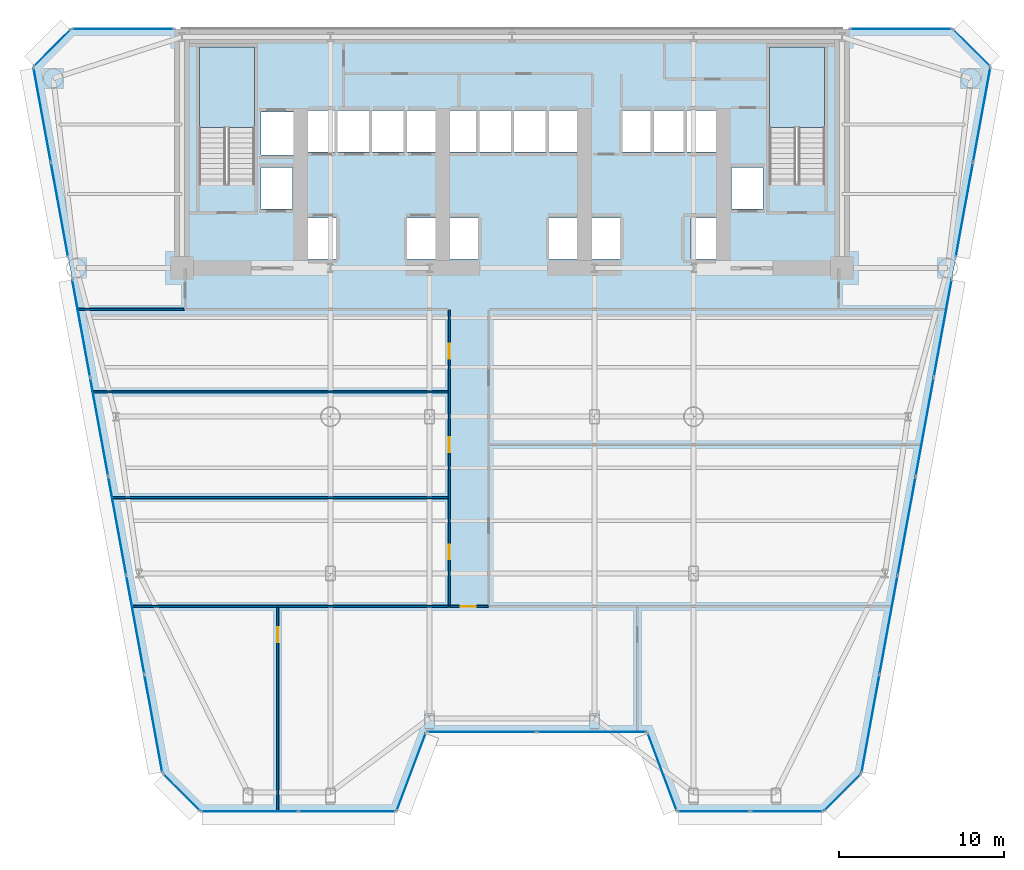
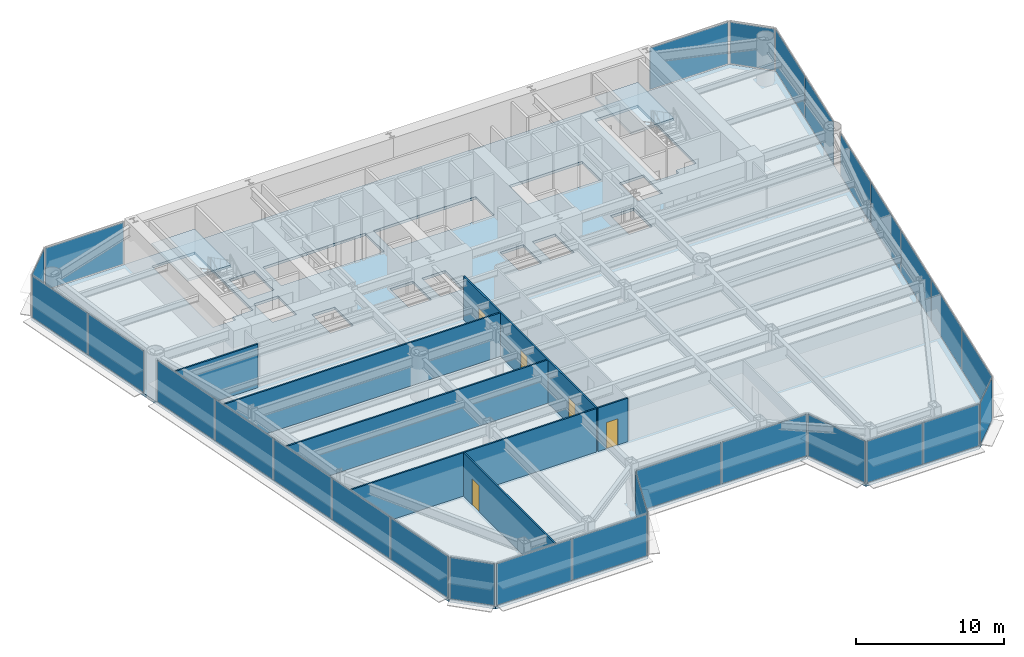
# One storey, part 7 of 14: 28 plates, 7 walls, 5 doors, 3 slabs, 5 openings, 17 elements without a shape of their own.
"""IFC4 building model written with IfcOpenShell, lengths in metres."""

from ifc_helpers import new_model, si_unit, direction, frame, frame_2d, origin, origin_2d, place, context, subcontext, project, spatial, polyline, rectangle, outline, extrude, source, transform, mapped, material, layer, layer_set, type_object, element, fill, aggregate, save


model = new_model("IFC4")

# Units and contexts
model_context = context("Model", 3, precision=1e-05, world=origin(), true_north=direction((0.0, 1.0)))
body_context = subcontext(model_context, "Body", "Model", "MODEL_VIEW")
ifc_project = project(units=[si_unit("LENGTHUNIT", "METRE"), si_unit("AREAUNIT", "SQUARE_METRE"), si_unit("VOLUMEUNIT", "CUBIC_METRE"), si_unit("PLANEANGLEUNIT", "RADIAN"), si_unit("MASSUNIT", "GRAM", prefix="KILO")], contexts=[model_context])

# Site, building, storey
site_placement = place(None, origin())
site = spatial("IfcSite", under=ifc_project, at=site_placement, CompositionType="ELEMENT")
building_placement = place(site_placement, origin())
building = spatial("IfcBuilding", under=site, at=building_placement, Name="Vaeldorn Concourse Tower", CompositionType="ELEMENT")
storey_placement = place(building_placement, frame((0.0, 0.0, 75.800048828125)))
storey = spatial("IfcBuildingStorey", under=building, at=storey_placement, Name="L19", CompositionType="ELEMENT", Elevation=75.800048828125)

# Stair, slab
ifc_material_1 = material(Name="Precast concrete C40/50", Category="concrete")
stair_type = type_object("IfcStairType", Name="STR-DOG-24x158", PredefinedType="HALF_TURN_STAIR", material=ifc_material_1)
stair_1_placement = place(storey_placement, origin())
stair_1 = element("IfcStair", 1, at=stair_1_placement, inside=storey, type_object=stair_type, Name="L19 West Core Exit Stair ST-1", PredefinedType="HALF_TURN_STAIR")
ifc_material_2 = material(Name="Concrete C40/50", Category="concrete")
ifc_layer_1 = layer(ifc_material_2, 0.199951171875)
ifc_layer_set_1 = layer_set([ifc_layer_1], Name="Concrete C40/50")
slab_type_1 = type_object("IfcSlabType", Name="SL-STAIR-LANDING", PredefinedType="LANDING", material=ifc_layer_set_1)
slab_1_placement = place(storey_placement, frame((0.0, 0.0, 1.699951171875)))
slab_1 = element("IfcSlab", 2, at=slab_1_placement, type_object=slab_type_1, Name="ST-1 landing 1", PredefinedType="LANDING", context=body_context, shape_type="SweptSolid", body=[
    extrude(outline(polyline([(18.39990234375, 45.010009765625), (18.39990234375, 49.89990234375), (15.050048828125, 49.89990234375), (15.050048828125, 45.010009765625), (18.39990234375, 45.010009765625)])), origin(), (0.0, 0.0, 1.0), 0.199951171875),
])
aggregate(stair_1, [slab_1])

stair_2_placement = place(storey_placement, origin())
stair_2 = element("IfcStair", 3, at=stair_2_placement, inside=storey, type_object=stair_type, Name="L19 East Core Exit Stair ST-2", PredefinedType="HALF_TURN_STAIR")
slab_2_placement = place(storey_placement, frame((0.0, 0.0, 1.699951171875)))
slab_2 = element("IfcSlab", 4, at=slab_2_placement, type_object=slab_type_1, Name="ST-2 landing 1", PredefinedType="LANDING", context=body_context, shape_type="SweptSolid", body=[
    extrude(outline(polyline([(52.949951171875, 45.010009765625), (52.949951171875, 49.89990234375), (49.60009765625, 49.89990234375), (49.60009765625, 45.010009765625), (52.949951171875, 45.010009765625)])), origin(), (0.0, 0.0, 1.0), 0.199951171875),
])
aggregate(stair_2, [slab_2])

# Slab
ifc_layer_2 = layer(ifc_material_2, 0.219970703125)
ifc_layer_set_2 = layer_set([ifc_layer_2], Name="Concrete C40/50")
slab_type_2 = type_object("IfcSlabType", Name="SL-TYP-220", PredefinedType="FLOOR", material=ifc_layer_set_2)
slab_3_placement = place(storey_placement, frame((0.0, 0.0, -0.219970703125)))
element("IfcSlab", 5, at=slab_3_placement, inside=storey, type_object=slab_type_2, Name="Structural Floor Slab L19", PredefinedType="FLOOR", context=body_context, shape_type="SweptSolid", body=[
    extrude(outline(polyline([(15.123291015625, 3.586181640625), (27.0, 3.586181640625), (28.800048828125, 8.385986328125), (42.199951171875, 8.385986328125), (44.0, 3.586181640625), (52.876708984375, 3.586181640625), (55.1767578125, 5.885986328125), (63.0, 48.699951171875), (60.699951171875, 51.0), (7.300048828125, 51.0), (5.0, 48.699951171875), (12.8232421875, 5.885986328125), (15.123291015625, 3.586181640625)]), holes=[polyline([(18.39990234375, 42.0), (18.39990234375, 49.89990234375), (15.050048828125, 49.89990234375), (15.050048828125, 41.60009765625), (16.800048828125, 41.60009765625), (16.800048828125, 42.0), (18.39990234375, 42.0)]), polyline([(52.949951171875, 42.0), (52.949951171875, 49.89990234375), (49.60009765625, 49.89990234375), (49.60009765625, 41.60009765625), (51.35009765625, 41.60009765625), (51.35009765625, 42.0), (52.949951171875, 42.0)]), polyline([(21.550048828125, 37.050048828125), (23.35009765625, 37.050048828125), (23.35009765625, 39.550048828125), (21.550048828125, 39.550048828125), (21.550048828125, 37.050048828125)]), polyline([(27.64990234375, 37.050048828125), (29.449951171875, 37.050048828125), (29.449951171875, 39.550048828125), (27.64990234375, 39.550048828125), (27.64990234375, 37.050048828125)]), polyline([(21.5, 43.550048828125), (29.5, 43.550048828125), (29.5, 46.050048828125), (21.5, 46.050048828125), (21.5, 43.550048828125)]), polyline([(30.14990234375, 37.050048828125), (31.949951171875, 37.050048828125), (31.949951171875, 39.550048828125), (30.14990234375, 39.550048828125), (30.14990234375, 37.050048828125)]), polyline([(36.25, 37.050048828125), (38.050048828125, 37.050048828125), (38.050048828125, 39.550048828125), (36.25, 39.550048828125), (36.25, 37.050048828125)]), polyline([(30.10009765625, 43.550048828125), (38.10009765625, 43.550048828125), (38.10009765625, 46.050048828125), (30.10009765625, 46.050048828125), (30.10009765625, 43.550048828125)]), polyline([(38.75, 37.050048828125), (40.550048828125, 37.050048828125), (40.550048828125, 39.550048828125), (38.75, 39.550048828125), (38.75, 37.050048828125)]), polyline([(44.85009765625, 37.050048828125), (46.64990234375, 37.050048828125), (46.64990234375, 39.550048828125), (44.85009765625, 39.550048828125), (44.85009765625, 37.050048828125)]), polyline([(40.699951171875, 43.550048828125), (46.39990234375, 43.550048828125), (46.39990234375, 46.050048828125), (40.699951171875, 46.050048828125), (40.699951171875, 43.550048828125)]), polyline([(18.800048828125, 43.35009765625), (20.800048828125, 43.35009765625), (20.800048828125, 45.949951171875), (18.800048828125, 45.949951171875), (18.800048828125, 43.35009765625)]), polyline([(18.800048828125, 40.10009765625), (20.699951171875, 40.10009765625), (20.699951171875, 42.60009765625), (18.800048828125, 42.60009765625), (18.800048828125, 40.10009765625)]), polyline([(47.300048828125, 40.10009765625), (49.199951171875, 40.10009765625), (49.199951171875, 42.60009765625), (47.300048828125, 42.60009765625), (47.300048828125, 40.10009765625)])]), origin(), (0.0, 0.0, 1.0), 0.219970703125),
])

# Curtain wall, plate
ifc_material_3 = material(Name="Anodised Bronze Aluminium", Category="aluminium")
ifc_layer_3 = layer(ifc_material_3, 0.219970703125)
ifc_layer_set_3 = layer_set([ifc_layer_3], Name="Anodised Bronze Aluminium")
curtain_wall_type = type_object("IfcCurtainWallType", Name="CW-SYS-01", PredefinedType="NOTDEFINED", material=ifc_layer_set_3)
curtain_wall_1_placement = place(storey_placement, origin())
curtain_wall_1 = element("IfcCurtainWall", 6, at=curtain_wall_1_placement, inside=storey, type_object=curtain_wall_type, Name="Unitised Curtain Wall CW-L19-E02-1", PredefinedType="NOTDEFINED")
ifc_material_4 = material(Name="Bronze Tinted Low-E Insulated Glass", Category="glass")
ifc_layer_4 = layer(ifc_material_4, 0.031982421875)
ifc_layer_set_4 = layer_set([ifc_layer_4], Name="Bronze Tinted Low-E Insulated Glass")
plate_type = type_object("IfcPlateType", Name="CWP-VISION-32", PredefinedType="CURTAIN_PANEL", material=ifc_layer_set_4)
shared_shape_1 = source(origin(), body_context, "Body", "SweptSolid", [
    extrude(rectangle(XDim=4.976318359375, YDim=0.031982421875, at=origin_2d()), origin(), (0.0, 0.0, 1.0), 3.429931640625),
])
plate_1_placement = place(storey_placement, frame((27.89990234375, 5.986083984375, 0.0751953125), z_axis=(0.0, 0.0, 1.0), x_axis=(0.351123441595, 0.936329177566, 0.0)))
plate_1 = element("IfcPlate", 7, at=plate_1_placement, type_object=plate_type, Name="CW-01 panel 1.1", PredefinedType="CURTAIN_PANEL", context=body_context, shape_type="MappedRepresentation", body=[
    mapped(shared_shape_1, transform((0.0, 0.0, 0.0), scale=1.0)),
])
aggregate(curtain_wall_1, [plate_1])

curtain_wall_2_placement = place(storey_placement, origin())
curtain_wall_2 = element("IfcCurtainWall", 8, at=curtain_wall_2_placement, inside=storey, type_object=curtain_wall_type, Name="Unitised Curtain Wall CW-L19-E04-1", PredefinedType="NOTDEFINED")
plate_2_placement = place(storey_placement, frame((43.10009765625, 5.986083984375, 0.0751953125), z_axis=(0.0, 0.0, 1.0), x_axis=(0.351123441595, -0.936329177566, 0.0)))
plate_2 = element("IfcPlate", 9, at=plate_2_placement, type_object=plate_type, Name="CW-01 panel 1.1", PredefinedType="CURTAIN_PANEL", context=body_context, shape_type="MappedRepresentation", body=[
    mapped(shared_shape_1, transform((0.0, 0.0, 0.0), scale=1.0)),
])
aggregate(curtain_wall_2, [plate_2])

# Curtain wall, plates
curtain_wall_3_placement = place(storey_placement, origin())
curtain_wall_3 = element("IfcCurtainWall", 10, at=curtain_wall_3_placement, inside=storey, type_object=curtain_wall_type, Name="Unitised Curtain Wall CW-L19-E03-1", PredefinedType="NOTDEFINED")
shared_shape_2 = source(origin(), body_context, "Body", "SweptSolid", [
    extrude(rectangle(XDim=6.58740234375, YDim=0.031982421875, at=origin_2d()), origin(), (0.0, 0.0, 1.0), 3.429931640625),
])
plate_3_placement = place(storey_placement, frame((32.168701171875, 8.385986328125, 0.0751953125), z_axis=(0.0, 0.0, 1.0), x_axis=(1.0, 0.0, 0.0)))
plate_3 = element("IfcPlate", 11, at=plate_3_placement, type_object=plate_type, Name="CW-01 panel 1.1", PredefinedType="CURTAIN_PANEL", context=body_context, shape_type="MappedRepresentation", body=[
    mapped(shared_shape_2, transform((0.0, 0.0, 0.0), scale=1.0)),
])
plate_4_placement = place(storey_placement, frame((38.831298828125, 8.385986328125, 0.0751953125), z_axis=(0.0, 0.0, 1.0), x_axis=(1.0, 0.0, 0.0)))
plate_4 = element("IfcPlate", 12, at=plate_4_placement, type_object=plate_type, Name="CW-01 panel 2.1", PredefinedType="CURTAIN_PANEL", context=body_context, shape_type="MappedRepresentation", body=[
    mapped(shared_shape_2, transform((0.0, 0.0, 0.0), scale=1.0)),
])
aggregate(curtain_wall_3, [plate_3, plate_4])

# Curtain wall, plate
curtain_wall_4_placement = place(storey_placement, origin())
curtain_wall_4 = element("IfcCurtainWall", 13, at=curtain_wall_4_placement, inside=storey, type_object=curtain_wall_type, Name="Unitised Curtain Wall CW-L19-E06-1", PredefinedType="NOTDEFINED")
shared_shape_3 = source(origin(), body_context, "Body", "SweptSolid", [
    extrude(rectangle(XDim=3.102783203125, YDim=0.031982421875, at=origin_2d()), origin(), (0.0, 0.0, 1.0), 3.429931640625),
])
plate_5_placement = place(storey_placement, frame((54.026611328125, 4.736083984375, 0.0751953125), z_axis=(0.0, 0.0, 1.0), x_axis=(0.707106781187, 0.707106781187, 0.0)))
plate_5 = element("IfcPlate", 14, at=plate_5_placement, type_object=plate_type, Name="CW-01 panel 1.1", PredefinedType="CURTAIN_PANEL", context=body_context, shape_type="MappedRepresentation", body=[
    mapped(shared_shape_3, transform((0.0, 0.0, 0.0), scale=1.0)),
])
aggregate(curtain_wall_4, [plate_5])

curtain_wall_5_placement = place(storey_placement, origin())
curtain_wall_5 = element("IfcCurtainWall", 15, at=curtain_wall_5_placement, inside=storey, type_object=curtain_wall_type, Name="Unitised Curtain Wall CW-L19-E08-1", PredefinedType="NOTDEFINED")
plate_6_placement = place(storey_placement, frame((61.85009765625, 49.85009765625, 0.0751953125), z_axis=(0.0, 0.0, 1.0), x_axis=(-0.707106781187, 0.707106781187, 0.0)))
plate_6 = element("IfcPlate", 16, at=plate_6_placement, type_object=plate_type, Name="CW-01 panel 1.1", PredefinedType="CURTAIN_PANEL", context=body_context, shape_type="MappedRepresentation", body=[
    mapped(shared_shape_3, transform((0.0, 0.0, 0.0), scale=1.0)),
])
aggregate(curtain_wall_5, [plate_6])

curtain_wall_6_placement = place(storey_placement, origin())
curtain_wall_6 = element("IfcCurtainWall", 17, at=curtain_wall_6_placement, inside=storey, type_object=curtain_wall_type, Name="Unitised Curtain Wall CW-L19-E10-1", PredefinedType="NOTDEFINED")
plate_7_placement = place(storey_placement, frame((6.14990234375, 49.85009765625, 0.0751953125), z_axis=(0.0, 0.0, 1.0), x_axis=(-0.707106781187, -0.707106781187, 0.0)))
plate_7 = element("IfcPlate", 18, at=plate_7_placement, type_object=plate_type, Name="CW-01 panel 1.1", PredefinedType="CURTAIN_PANEL", context=body_context, shape_type="MappedRepresentation", body=[
    mapped(shared_shape_3, transform((0.0, 0.0, 0.0), scale=1.0)),
])
aggregate(curtain_wall_6, [plate_7])

curtain_wall_7_placement = place(storey_placement, origin())
curtain_wall_7 = element("IfcCurtainWall", 19, at=curtain_wall_7_placement, inside=storey, type_object=curtain_wall_type, Name="Unitised Curtain Wall CW-L19-E12-1", PredefinedType="NOTDEFINED")
plate_8_placement = place(storey_placement, frame((13.973388671875, 4.736083984375, 0.0751953125), z_axis=(0.0, 0.0, 1.0), x_axis=(0.707106781187, -0.707106781187, 0.0)))
plate_8 = element("IfcPlate", 20, at=plate_8_placement, type_object=plate_type, Name="CW-01 panel 1.1", PredefinedType="CURTAIN_PANEL", context=body_context, shape_type="MappedRepresentation", body=[
    mapped(shared_shape_3, transform((0.0, 0.0, 0.0), scale=1.0)),
])
aggregate(curtain_wall_7, [plate_8])

curtain_wall_8_placement = place(storey_placement, origin())
curtain_wall_8 = element("IfcCurtainWall", 21, at=curtain_wall_8_placement, inside=storey, type_object=curtain_wall_type, Name="Unitised Curtain Wall CW-L19-E09-1", PredefinedType="NOTDEFINED")
shared_shape_4 = source(origin(), body_context, "Body", "SweptSolid", [
    extrude(rectangle(XDim=6.10498046875, YDim=0.031982421875, at=origin_2d()), origin(), (0.0, 0.0, 1.0), 3.429931640625),
])
plate_9_placement = place(storey_placement, frame((57.572509765625, 51.0, 0.0751953125), z_axis=(0.0, 0.0, 1.0), x_axis=(-1.0, 0.0, 0.0)))
plate_9 = element("IfcPlate", 22, at=plate_9_placement, type_object=plate_type, Name="CW-01 panel 1.1", PredefinedType="CURTAIN_PANEL", context=body_context, shape_type="MappedRepresentation", body=[
    mapped(shared_shape_4, transform((0.0, 0.0, 0.0), scale=1.0)),
])
aggregate(curtain_wall_8, [plate_9])

curtain_wall_9_placement = place(storey_placement, origin())
curtain_wall_9 = element("IfcCurtainWall", 23, at=curtain_wall_9_placement, inside=storey, type_object=curtain_wall_type, Name="Unitised Curtain Wall CW-L19-E09-2", PredefinedType="NOTDEFINED")
plate_10_placement = place(storey_placement, frame((10.427490234375, 51.0, 0.0751953125), z_axis=(0.0, 0.0, 1.0), x_axis=(-1.0, 0.0, 0.0)))
plate_10 = element("IfcPlate", 24, at=plate_10_placement, type_object=plate_type, Name="CW-01 panel 1.1", PredefinedType="CURTAIN_PANEL", context=body_context, shape_type="MappedRepresentation", body=[
    mapped(shared_shape_4, transform((0.0, 0.0, 0.0), scale=1.0)),
])
aggregate(curtain_wall_9, [plate_10])

# Curtain wall, plates
curtain_wall_10_placement = place(storey_placement, origin())
curtain_wall_10 = element("IfcCurtainWall", 25, at=curtain_wall_10_placement, inside=storey, type_object=curtain_wall_type, Name="Unitised Curtain Wall CW-L19-E01-1", PredefinedType="NOTDEFINED")
shared_shape_5 = source(origin(), body_context, "Body", "SweptSolid", [
    extrude(rectangle(XDim=5.825927734375, YDim=0.031982421875, at=origin_2d()), origin(), (0.0, 0.0, 1.0), 3.429931640625),
])
plate_11_placement = place(storey_placement, frame((18.111328125, 3.586181640625, 0.0751953125), z_axis=(0.0, 0.0, 1.0), x_axis=(1.0, 0.0, 0.0)))
plate_11 = element("IfcPlate", 26, at=plate_11_placement, type_object=plate_type, Name="CW-01 panel 1.1", PredefinedType="CURTAIN_PANEL", context=body_context, shape_type="MappedRepresentation", body=[
    mapped(shared_shape_5, transform((0.0, 0.0, 0.0), scale=1.0)),
])
plate_12_placement = place(storey_placement, frame((24.011962890625, 3.586181640625, 0.0751953125), z_axis=(0.0, 0.0, 1.0), x_axis=(1.0, 0.0, 0.0)))
plate_12 = element("IfcPlate", 27, at=plate_12_placement, type_object=plate_type, Name="CW-01 panel 2.1", PredefinedType="CURTAIN_PANEL", context=body_context, shape_type="MappedRepresentation", body=[
    mapped(shared_shape_5, transform((0.0, 0.0, 0.0), scale=1.0)),
])
aggregate(curtain_wall_10, [plate_11, plate_12])

curtain_wall_11_placement = place(storey_placement, origin())
curtain_wall_11 = element("IfcCurtainWall", 28, at=curtain_wall_11_placement, inside=storey, type_object=curtain_wall_type, Name="Unitised Curtain Wall CW-L19-E05-1", PredefinedType="NOTDEFINED")
shared_shape_6 = source(origin(), body_context, "Body", "SweptSolid", [
    extrude(rectangle(XDim=4.325927734375, YDim=0.031982421875, at=origin_2d()), origin(), (0.0, 0.0, 1.0), 3.429931640625),
])
plate_13_placement = place(storey_placement, frame((46.238037109375, 3.586181640625, 0.0751953125), z_axis=(0.0, 0.0, 1.0), x_axis=(1.0, 0.0, 0.0)))
plate_13 = element("IfcPlate", 29, at=plate_13_placement, type_object=plate_type, Name="CW-01 panel 1.1", PredefinedType="CURTAIN_PANEL", context=body_context, shape_type="MappedRepresentation", body=[
    mapped(shared_shape_6, transform((0.0, 0.0, 0.0), scale=1.0)),
])
plate_14_placement = place(storey_placement, frame((50.638671875, 3.586181640625, 0.0751953125), z_axis=(0.0, 0.0, 1.0), x_axis=(1.0, 0.0, 0.0)))
plate_14 = element("IfcPlate", 30, at=plate_14_placement, type_object=plate_type, Name="CW-01 panel 2.1", PredefinedType="CURTAIN_PANEL", context=body_context, shape_type="MappedRepresentation", body=[
    mapped(shared_shape_6, transform((0.0, 0.0, 0.0), scale=1.0)),
])
aggregate(curtain_wall_11, [plate_13, plate_14])

curtain_wall_12_placement = place(storey_placement, origin())
curtain_wall_12 = element("IfcCurtainWall", 31, at=curtain_wall_12_placement, inside=storey, type_object=curtain_wall_type, Name="Unitised Curtain Wall CW-L19-E07-1", PredefinedType="NOTDEFINED")
shared_shape_7 = source(origin(), body_context, "Body", "SweptSolid", [
    extrude(rectangle(XDim=5.985595703125, YDim=0.031982421875, at=origin_2d()), origin(), (0.0, 0.0, 1.0), 3.429931640625),
])
plate_15_placement = place(storey_placement, frame((55.728271484375, 8.904052734375, 0.0751953125), z_axis=(0.0, 0.0, 1.0), x_axis=(0.179751197201, 0.983712105804, 0.0)))
plate_15 = element("IfcPlate", 32, at=plate_15_placement, type_object=plate_type, Name="CW-01 panel 1.1", PredefinedType="CURTAIN_PANEL", context=body_context, shape_type="MappedRepresentation", body=[
    mapped(shared_shape_7, transform((0.0, 0.0, 0.0), scale=1.0)),
])
plate_16_placement = place(storey_placement, frame((60.10595703125, 32.862548828125, 0.0751953125), z_axis=(0.0, 0.0, 1.0), x_axis=(0.179751197201, 0.983712105804, 0.0)))
plate_16 = element("IfcPlate", 33, at=plate_16_placement, type_object=plate_type, Name="CW-01 panel 5.1", PredefinedType="CURTAIN_PANEL", context=body_context, shape_type="MappedRepresentation", body=[
    mapped(shared_shape_7, transform((0.0, 0.0, 0.0), scale=1.0)),
])

curtain_wall_13_placement = place(storey_placement, origin())
curtain_wall_13 = element("IfcCurtainWall", 34, at=curtain_wall_13_placement, inside=storey, type_object=curtain_wall_type, Name="Unitised Curtain Wall CW-L19-E11-2", PredefinedType="NOTDEFINED")
plate_17_placement = place(storey_placement, frame((7.89404296875, 32.862548828125, 0.0751953125), z_axis=(0.0, 0.0, 1.0), x_axis=(0.179751197201, -0.983712105804, 0.0)))
plate_17 = element("IfcPlate", 35, at=plate_17_placement, type_object=plate_type, Name="CW-01 panel 1.1", PredefinedType="CURTAIN_PANEL", context=body_context, shape_type="MappedRepresentation", body=[
    mapped(shared_shape_7, transform((0.0, 0.0, 0.0), scale=1.0)),
])
plate_18_placement = place(storey_placement, frame((12.271728515625, 8.904052734375, 0.0751953125), z_axis=(0.0, 0.0, 1.0), x_axis=(0.179751197201, -0.983712105804, 0.0)))
plate_18 = element("IfcPlate", 36, at=plate_18_placement, type_object=plate_type, Name="CW-01 panel 5.1", PredefinedType="CURTAIN_PANEL", context=body_context, shape_type="MappedRepresentation", body=[
    mapped(shared_shape_7, transform((0.0, 0.0, 0.0), scale=1.0)),
])

# Plate
shared_shape_8 = source(origin(), body_context, "Body", "SweptSolid", [
    extrude(rectangle(XDim=6.023193359375, YDim=0.031982421875, at=origin_2d()), origin(), (0.0, 0.0, 1.0), 3.429931640625),
])
plate_19_placement = place(storey_placement, frame((56.821044921875, 14.884521484375, 0.0751953125), z_axis=(0.0, 0.0, 1.0), x_axis=(0.179751197201, 0.983712105804, 0.0)))
plate_19 = element("IfcPlate", 37, at=plate_19_placement, type_object=plate_type, Name="CW-01 panel 2.1", PredefinedType="CURTAIN_PANEL", context=body_context, shape_type="MappedRepresentation", body=[
    mapped(shared_shape_8, transform((0.0, 0.0, 0.0), scale=1.0)),
])

plate_20_placement = place(storey_placement, frame((57.9169921875, 20.88330078125, 0.0751953125), z_axis=(0.0, 0.0, 1.0), x_axis=(0.179751197201, 0.983712105804, 0.0)))
plate_20 = element("IfcPlate", 38, at=plate_20_placement, type_object=plate_type, Name="CW-01 panel 3.1", PredefinedType="CURTAIN_PANEL", context=body_context, shape_type="MappedRepresentation", body=[
    mapped(shared_shape_8, transform((0.0, 0.0, 0.0), scale=1.0)),
])

plate_21_placement = place(storey_placement, frame((59.01318359375, 26.882080078125, 0.0751953125), z_axis=(0.0, 0.0, 1.0), x_axis=(0.179751197201, 0.983712105804, 0.0)))
plate_21 = element("IfcPlate", 39, at=plate_21_placement, type_object=plate_type, Name="CW-01 panel 4.1", PredefinedType="CURTAIN_PANEL", context=body_context, shape_type="MappedRepresentation", body=[
    mapped(shared_shape_8, transform((0.0, 0.0, 0.0), scale=1.0)),
])

aggregate(curtain_wall_12, [plate_15, plate_19, plate_20, plate_21, plate_16])

plate_22_placement = place(storey_placement, frame((8.98681640625, 26.882080078125, 0.0751953125), z_axis=(0.0, 0.0, 1.0), x_axis=(0.179751197201, -0.983712105804, 0.0)))
plate_22 = element("IfcPlate", 40, at=plate_22_placement, type_object=plate_type, Name="CW-01 panel 2.1", PredefinedType="CURTAIN_PANEL", context=body_context, shape_type="MappedRepresentation", body=[
    mapped(shared_shape_8, transform((0.0, 0.0, 0.0), scale=1.0)),
])

plate_23_placement = place(storey_placement, frame((10.0830078125, 20.88330078125, 0.0751953125), z_axis=(0.0, 0.0, 1.0), x_axis=(0.179751197201, -0.983712105804, 0.0)))
plate_23 = element("IfcPlate", 41, at=plate_23_placement, type_object=plate_type, Name="CW-01 panel 3.1", PredefinedType="CURTAIN_PANEL", context=body_context, shape_type="MappedRepresentation", body=[
    mapped(shared_shape_8, transform((0.0, 0.0, 0.0), scale=1.0)),
])

plate_24_placement = place(storey_placement, frame((11.178955078125, 14.884521484375, 0.0751953125), z_axis=(0.0, 0.0, 1.0), x_axis=(0.179751197201, -0.983712105804, 0.0)))
plate_24 = element("IfcPlate", 42, at=plate_24_placement, type_object=plate_type, Name="CW-01 panel 4.1", PredefinedType="CURTAIN_PANEL", context=body_context, shape_type="MappedRepresentation", body=[
    mapped(shared_shape_8, transform((0.0, 0.0, 0.0), scale=1.0)),
])

aggregate(curtain_wall_13, [plate_17, plate_22, plate_23, plate_24, plate_18])

# Curtain wall, plates
curtain_wall_14_placement = place(storey_placement, origin())
curtain_wall_14 = element("IfcCurtainWall", 43, at=curtain_wall_14_placement, inside=storey, type_object=curtain_wall_type, Name="Unitised Curtain Wall CW-L19-E07-2", PredefinedType="NOTDEFINED")
shared_shape_9 = source(origin(), body_context, "Body", "SweptSolid", [
    extrude(rectangle(XDim=5.773681640625, YDim=0.031982421875, at=origin_2d()), origin(), (0.0, 0.0, 1.0), 3.429931640625),
])
plate_25_placement = place(storey_placement, frame((61.416259765625, 40.032958984375, 0.0751953125), z_axis=(0.0, 0.0, 1.0), x_axis=(0.179753240108, 0.983711732506, 0.0)))
plate_25 = element("IfcPlate", 44, at=plate_25_placement, type_object=plate_type, Name="CW-01 panel 1.1", PredefinedType="CURTAIN_PANEL", context=body_context, shape_type="MappedRepresentation", body=[
    mapped(shared_shape_9, transform((0.0, 0.0, 0.0), scale=1.0)),
])
plate_26_placement = place(storey_placement, frame((62.467529296875, 45.786376953125, 0.0751953125), z_axis=(0.0, 0.0, 1.0), x_axis=(0.179753240108, 0.983711732506, 0.0)))
plate_26 = element("IfcPlate", 45, at=plate_26_placement, type_object=plate_type, Name="CW-01 panel 2.1", PredefinedType="CURTAIN_PANEL", context=body_context, shape_type="MappedRepresentation", body=[
    mapped(shared_shape_9, transform((0.0, 0.0, 0.0), scale=1.0)),
])
aggregate(curtain_wall_14, [plate_25, plate_26])

curtain_wall_15_placement = place(storey_placement, origin())
curtain_wall_15 = element("IfcCurtainWall", 46, at=curtain_wall_15_placement, inside=storey, type_object=curtain_wall_type, Name="Unitised Curtain Wall CW-L19-E11-1", PredefinedType="NOTDEFINED")
plate_27_placement = place(storey_placement, frame((5.532470703125, 45.786376953125, 0.0751953125), z_axis=(0.0, 0.0, 1.0), x_axis=(0.179753240108, -0.983711732506, 0.0)))
plate_27 = element("IfcPlate", 47, at=plate_27_placement, type_object=plate_type, Name="CW-01 panel 1.1", PredefinedType="CURTAIN_PANEL", context=body_context, shape_type="MappedRepresentation", body=[
    mapped(shared_shape_9, transform((0.0, 0.0, 0.0), scale=1.0)),
])
plate_28_placement = place(storey_placement, frame((6.583740234375, 40.032958984375, 0.0751953125), z_axis=(0.0, 0.0, 1.0), x_axis=(0.179753240108, -0.983711732506, 0.0)))
plate_28 = element("IfcPlate", 48, at=plate_28_placement, type_object=plate_type, Name="CW-01 panel 2.1", PredefinedType="CURTAIN_PANEL", context=body_context, shape_type="MappedRepresentation", body=[
    mapped(shared_shape_9, transform((0.0, 0.0, 0.0), scale=1.0)),
])
aggregate(curtain_wall_15, [plate_27, plate_28])

# Wall, openings, doors
ifc_material_5 = material(Name="Gypsum Board Partition", Category="gypsum")
ifc_layer_5 = layer(ifc_material_5, 0.1201171875)
ifc_layer_set_5 = layer_set([ifc_layer_5], Name="Gypsum Board Partition")
wall_type = type_object("IfcWallType", Name="WL-PART-120", PredefinedType="PARTITIONING", material=ifc_layer_set_5)
wall_1_placement = place(storey_placement, frame((30.199951171875, 16.0, 0.0), z_axis=(0.0, 0.0, 1.0), x_axis=(0.0, 1.0, 0.0)))
wall_1 = element("IfcWall", 49, at=wall_1_placement, inside=storey, type_object=wall_type, Name="Interior Wall PW-L19-CSPW", PredefinedType="PARTITIONING", context=body_context, shape_type="SweptSolid", body=[
    extrude(rectangle(XDim=17.93994140625, YDim=0.1201171875, at=frame_2d((8.969970703125, 0.0))), origin(), (0.0, 0.0, 1.0), 3.579833984375),
])
opening_1_placement = place(wall_1_placement, frame((2.85009765625, 0.0, 0.0)))
opening_1 = element("IfcOpeningElement", 50, at=opening_1_placement, cuts=wall_1, Name="Opening D-03", PredefinedType="OPENING", context=body_context, shape_type="SweptSolid", body=[
    extrude(rectangle(XDim=0.89990234375, YDim=2.14990234375, at=frame_2d((0.449951171875, 1.074951171875))), frame((0.0, 0.070068359375, 0.0), z_axis=(0.0, -1.0, 0.0), x_axis=(1.0, 0.0, 0.0)), (0.0, 0.0, 1.0), 0.14013671875),
])
opening_2_placement = place(wall_1_placement, frame((9.35009765625, 0.0, 0.0)))
opening_2 = element("IfcOpeningElement", 51, at=opening_2_placement, cuts=wall_1, Name="Opening D-03", PredefinedType="OPENING", context=body_context, shape_type="SweptSolid", body=[
    extrude(rectangle(XDim=0.89990234375, YDim=2.14990234375, at=frame_2d((0.449951171875, 1.074951171875))), frame((0.0, 0.070068359375, 0.0), z_axis=(0.0, -1.0, 0.0), x_axis=(1.0, 0.0, 0.0)), (0.0, 0.0, 1.0), 0.14013671875),
])
opening_3_placement = place(wall_1_placement, frame((15.02001953125, 0.0, 0.0)))
opening_3 = element("IfcOpeningElement", 52, at=opening_3_placement, cuts=wall_1, Name="Opening D-03", PredefinedType="OPENING", context=body_context, shape_type="SweptSolid", body=[
    extrude(rectangle(XDim=0.89990234375, YDim=2.14990234375, at=frame_2d((0.449951171875, 1.074951171875))), frame((0.0, 0.070068359375, 0.0), z_axis=(0.0, -1.0, 0.0), x_axis=(1.0, 0.0, 0.0)), (0.0, 0.0, 1.0), 0.14013671875),
])
ifc_material_6 = material(Name="Acoustic Bronze-Framed Glass Door", Category="glass")
door_type = type_object("IfcDoorType", Name="DR-INT-900", OperationType="NOTDEFINED", PredefinedType="DOOR", material=ifc_material_6)
shared_shape_10 = source(origin(), body_context, "Body", "SweptSolid", [
    extrude(rectangle(XDim=0.89990234375, YDim=2.14990234375, at=frame_2d((0.449951171875, 1.074951171875))), frame((0.0, 0.02490234375, 0.0), z_axis=(0.0, -1.0, 0.0), x_axis=(1.0, 0.0, 0.0)), (0.0, 0.0, 1.0), 0.050048828125),
])
door_1_placement = place(opening_1_placement, origin())
door_1 = element("IfcDoor", 53, at=door_1_placement, inside=storey, type_object=door_type, Name="Interior Door DR-L19-Z3W1", OperationType="SINGLE_SWING_LEFT", OverallHeight=2.14990234375, OverallWidth=0.89990234375, PredefinedType="DOOR", context=body_context, shape_type="MappedRepresentation", body=[
    mapped(shared_shape_10, transform((0.0, 0.0, 0.0), scale=1.0)),
])
fill(opening_1, door_1)
door_2_placement = place(opening_2_placement, origin())
door_2 = element("IfcDoor", 54, at=door_2_placement, inside=storey, type_object=door_type, Name="Interior Door DR-L19-Z3W2", OperationType="SINGLE_SWING_RIGHT", OverallHeight=2.14990234375, OverallWidth=0.89990234375, PredefinedType="DOOR", context=body_context, shape_type="MappedRepresentation", body=[
    mapped(shared_shape_10, transform((0.0, 0.0, 0.0), scale=1.0)),
])
fill(opening_2, door_2)
door_3_placement = place(opening_3_placement, origin())
door_3 = element("IfcDoor", 55, at=door_3_placement, inside=storey, type_object=door_type, Name="Interior Door DR-L19-Z3W3", OperationType="SINGLE_SWING_LEFT", OverallHeight=2.14990234375, OverallWidth=0.89990234375, PredefinedType="DOOR", context=body_context, shape_type="MappedRepresentation", body=[
    mapped(shared_shape_10, transform((0.0, 0.0, 0.0), scale=1.0)),
])
fill(opening_3, door_3)

# Wall, opening, door
wall_2_placement = place(storey_placement, frame((30.239990234375, 16.0, 0.0), z_axis=(0.0, 0.0, 1.0), x_axis=(1.0, 0.0, 0.0)))
wall_2 = element("IfcWall", 56, at=wall_2_placement, inside=storey, type_object=wall_type, Name="Interior Wall PW-L19-CSPS", PredefinedType="PARTITIONING", context=body_context, shape_type="SweptSolid", body=[
    extrude(rectangle(XDim=2.320068359375, YDim=0.1201171875, at=frame_2d((1.16015625, 0.0))), origin(), (0.0, 0.0, 1.0), 3.579833984375),
])
opening_4_placement = place(wall_2_placement, frame((0.64990234375, 0.0, 0.0)))
opening_4 = element("IfcOpeningElement", 57, at=opening_4_placement, cuts=wall_2, Name="Opening D-03", PredefinedType="OPENING", context=body_context, shape_type="SweptSolid", body=[
    extrude(rectangle(XDim=0.89990234375, YDim=2.14990234375, at=frame_2d((0.449951171875, 1.074951171875))), frame((0.0, 0.070068359375, 0.0), z_axis=(0.0, -1.0, 0.0), x_axis=(1.0, 0.0, 0.0)), (0.0, 0.0, 1.0), 0.14013671875),
])
door_4_placement = place(opening_4_placement, origin())
door_4 = element("IfcDoor", 58, at=door_4_placement, inside=storey, type_object=door_type, Name="Interior Door DR-L19-Z3SM", OperationType="SINGLE_SWING_LEFT", OverallHeight=2.14990234375, OverallWidth=0.89990234375, PredefinedType="DOOR", context=body_context, shape_type="MappedRepresentation", body=[
    mapped(shared_shape_10, transform((0.0, 0.0, 0.0), scale=1.0)),
])
fill(opening_4, door_4)

# Walls
wall_3_placement = place(storey_placement, frame((7.72607421875, 34.0, 0.0), z_axis=(0.0, 0.0, 1.0), x_axis=(1.0, 0.0, 0.0)))
element("IfcWall", 59, at=wall_3_placement, inside=storey, type_object=wall_type, Name="Interior Wall PW-L19-Z3NWB", PredefinedType="PARTITIONING", context=body_context, shape_type="SweptSolid", body=[
    extrude(rectangle(XDim=6.413818359375, YDim=0.1201171875, at=frame_2d((3.20703125, 0.0))), origin(), (0.0, 0.0, 1.0), 3.579833984375),
])
wall_4_placement = place(storey_placement, frame((9.80908203125, 22.60009765625, 0.0), z_axis=(0.0, 0.0, 1.0), x_axis=(1.0, 0.0, 0.0)))
element("IfcWall", 60, at=wall_4_placement, inside=storey, type_object=wall_type, Name="Interior Wall PW-L19-Z3WY1", PredefinedType="PARTITIONING", context=body_context, shape_type="SweptSolid", body=[
    extrude(rectangle(XDim=20.330810546875, YDim=0.1201171875, at=frame_2d((10.16552734375, 0.0))), origin(), (0.0, 0.0, 1.0), 3.579833984375),
])
wall_5_placement = place(storey_placement, frame((8.6396484375, 29.0, 0.0), z_axis=(0.0, 0.0, 1.0), x_axis=(1.0, 0.0, 0.0)))
element("IfcWall", 61, at=wall_5_placement, inside=storey, type_object=wall_type, Name="Interior Wall PW-L19-Z3WY2", PredefinedType="PARTITIONING", context=body_context, shape_type="SweptSolid", body=[
    extrude(rectangle(XDim=21.500244140625, YDim=0.1201171875, at=frame_2d((10.75, 0.0))), origin(), (0.0, 0.0, 1.0), 3.579833984375),
])
wall_6_placement = place(storey_placement, frame((11.01513671875, 16.0, 0.0), z_axis=(0.0, 0.0, 1.0), x_axis=(1.0, 0.0, 0.0)))
element("IfcWall", 62, at=wall_6_placement, inside=storey, type_object=wall_type, Name="Interior Wall PW-L19-Z3SWL", PredefinedType="PARTITIONING", context=body_context, shape_type="SweptSolid", body=[
    extrude(rectangle(XDim=19.124755859375, YDim=0.1201171875, at=frame_2d((9.5625, 0.0))), origin(), (0.0, 0.0, 1.0), 3.579833984375),
])

# Wall, opening, door
wall_7_placement = place(storey_placement, frame((19.800048828125, 3.626220703125, 0.0), z_axis=(0.0, 0.0, 1.0), x_axis=(0.0, 1.0, 0.0)))
wall_7 = element("IfcWall", 63, at=wall_7_placement, inside=storey, type_object=wall_type, Name="Interior Wall PW-L19-Z3SX1", PredefinedType="PARTITIONING", context=body_context, shape_type="SweptSolid", body=[
    extrude(rectangle(XDim=12.313720703125, YDim=0.1201171875, at=frame_2d((6.15673828125, 0.0))), origin(), (0.0, 0.0, 1.0), 3.579833984375),
])
opening_5_placement = place(wall_7_placement, frame((10.214111328125, 0.0, 0.0)))
opening_5 = element("IfcOpeningElement", 64, at=opening_5_placement, cuts=wall_7, Name="Opening D-03", PredefinedType="OPENING", context=body_context, shape_type="SweptSolid", body=[
    extrude(rectangle(XDim=0.89990234375, YDim=2.14990234375, at=frame_2d((0.449951171875, 1.074951171875))), frame((0.0, 0.070068359375, 0.0), z_axis=(0.0, -1.0, 0.0), x_axis=(1.0, 0.0, 0.0)), (0.0, 0.0, 1.0), 0.14013671875),
])
door_5_placement = place(opening_5_placement, origin())
door_5 = element("IfcDoor", 65, at=door_5_placement, inside=storey, type_object=door_type, Name="Interior Door DR-L19-Z3SX1", OperationType="SINGLE_SWING_RIGHT", OverallHeight=2.14990234375, OverallWidth=0.89990234375, PredefinedType="DOOR", context=body_context, shape_type="MappedRepresentation", body=[
    mapped(shared_shape_10, transform((0.0, 0.0, 0.0), scale=1.0)),
])
fill(opening_5, door_5)

save(model, "model.ifc")
